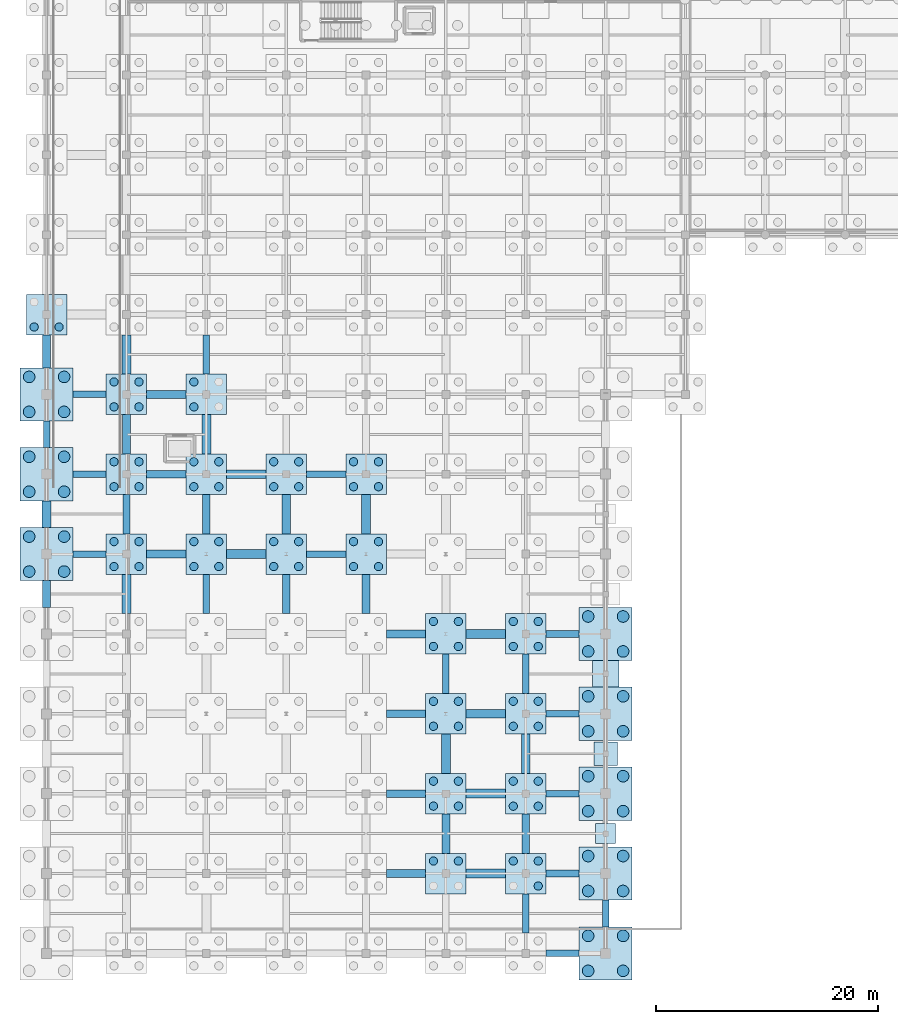
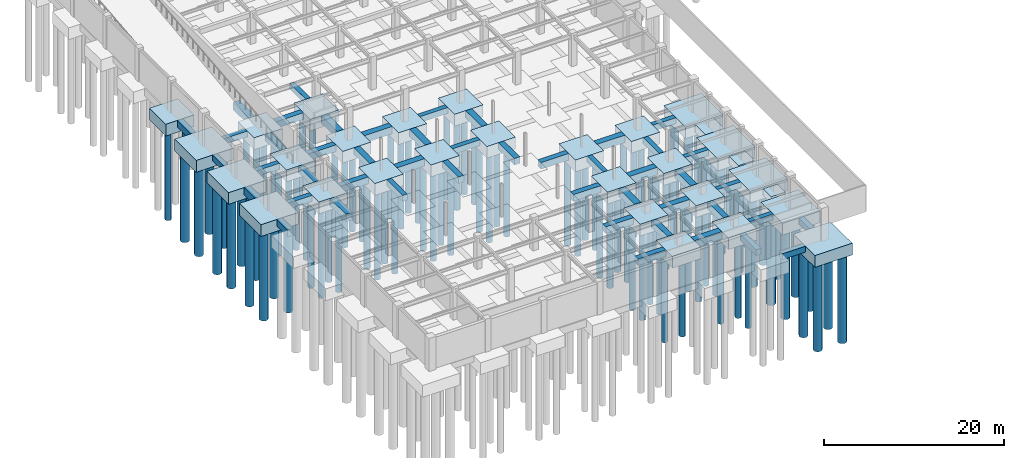
# One storey, part 2 of 48: 101 piles, 77 footings.
"""IFC4 building model written with IfcOpenShell, lengths in metres."""

from ifc_helpers import new_model, si_unit, direction, frame, origin, origin_2d, place, context, subcontext, project, spatial, rectangle, circle, extrude, material, material_profile, profile_set, type_object, element, save


model = new_model("IFC4")

# Units and contexts
model_context = context("Model", 3, precision=1e-05, world=origin(), true_north=direction((0.0, 1.0)))
body_context = subcontext(model_context, "Body", "Model", "MODEL_VIEW")
ifc_project = project(units=[si_unit("LENGTHUNIT", "METRE"), si_unit("AREAUNIT", "SQUARE_METRE"), si_unit("VOLUMEUNIT", "CUBIC_METRE"), si_unit("PLANEANGLEUNIT", "RADIAN"), si_unit("MASSUNIT", "GRAM", prefix="KILO")], contexts=[model_context])

# Site, building, storey
site_placement = place(None, origin())
site = spatial("IfcSite", under=ifc_project, at=site_placement, CompositionType="ELEMENT")
building_placement = place(site_placement, origin())
building = spatial("IfcBuilding", under=site, at=building_placement, Name="Carrowvane Square Congress Hotel", CompositionType="ELEMENT")
storey_placement = place(building_placement, frame((0.0, 0.0, -4.5)))
storey = spatial("IfcBuildingStorey", under=building, at=storey_placement, Name="B01", CompositionType="ELEMENT", Elevation=-4.5)

# Footings
ifc_material_1 = material(Name="Concrete C35/45", Category="concrete")
ifc_material_profile_1 = material_profile(ifc_material_1, rectangle(XDim=0.60009765625, YDim=0.800048828125, at=origin_2d()), Name="RC 600x800")
ifc_profile_set_1 = profile_set([ifc_material_profile_1], Name="Concrete C35/45")
footing_type_1 = type_object("IfcFootingType", Name="FTG-BM-600x800", PredefinedType="FOOTING_BEAM", material=ifc_profile_set_1)
footing_1_placement = place(storey_placement, frame((11.60009765625, 51.0, -0.39990234375), z_axis=(0.0, 1.0, 0.0), x_axis=(-1.0, 0.0, 0.0)))
element("IfcFooting", 1, at=footing_1_placement, inside=storey, type_object=footing_type_1, Name="Ground tie beam 7", PredefinedType="FOOTING_BEAM", context=body_context, shape_type="SweptSolid", body=[
    extrude(rectangle(XDim=0.60009765625, YDim=0.800048828125, at=origin_2d()), origin(), (0.0, 0.0, 1.0), 2.39990234375),
])
footing_2_placement = place(storey_placement, frame((18.800048828125, 43.22509765625, -0.39990234375), z_axis=(0.0, 1.0, 0.0), x_axis=(-1.0, 0.0, 0.0)))
element("IfcFooting", 2, at=footing_2_placement, inside=storey, type_object=footing_type_1, Name="Ground tie beam 18", PredefinedType="FOOTING_BEAM", context=body_context, shape_type="SweptSolid", body=[
    extrude(rectangle(XDim=0.60009765625, YDim=0.800048828125, at=origin_2d()), origin(), (0.0, 0.0, 1.0), 3.5498046875),
])
for number, where, z_axis, x_axis, name in (
    (3, (26.0, 36.02490234375, -0.39990234375), (0.0, 1.0, 0.0), (-1.0, 0.0, 0.0), "Ground tie beam 29"),
    (4, (26.0, 57.625, -0.39990234375), (0.0, 1.0, 0.0), (-1.0, 0.0, 0.0), "Ground tie beam 32"),
    (5, (47.60009765625, 28.824951171875, -0.39990234375), (0.0, 1.0, 0.0), (-1.0, 0.0, 0.0), "Ground tie beam 68"),
):
    element("IfcFooting", number, at=place(storey_placement, frame(where, z_axis=z_axis, x_axis=x_axis)), inside=storey, type_object=footing_type_1, Name=name, PredefinedType="FOOTING_BEAM", context=body_context, shape_type="SweptSolid", body=[
        extrude(rectangle(XDim=0.60009765625, YDim=0.800048828125, at=origin_2d()), origin(), (0.0, 0.0, 1.0), 3.550048828125),
    ])
footing_3_placement = place(storey_placement, frame((54.800048828125, 7.22509765625, -0.39990234375), z_axis=(0.0, 1.0, 0.0), x_axis=(-1.0, 0.0, 0.0)))
element("IfcFooting", 6, at=footing_3_placement, inside=storey, type_object=footing_type_1, Name="Ground tie beam 79", PredefinedType="FOOTING_BEAM", context=body_context, shape_type="SweptSolid", body=[
    extrude(rectangle(XDim=0.60009765625, YDim=0.800048828125, at=origin_2d()), origin(), (0.0, 0.0, 1.0), 3.5498046875),
])
footing_4_placement = place(storey_placement, frame((54.800048828125, 28.824951171875, -0.39990234375), z_axis=(0.0, 1.0, 0.0), x_axis=(-1.0, 0.0, 0.0)))
element("IfcFooting", 7, at=footing_4_placement, inside=storey, type_object=footing_type_1, Name="Ground tie beam 82", PredefinedType="FOOTING_BEAM", context=body_context, shape_type="SweptSolid", body=[
    extrude(rectangle(XDim=0.60009765625, YDim=0.800048828125, at=origin_2d()), origin(), (0.0, 0.0, 1.0), 3.550048828125),
])
footing_5_placement = place(storey_placement, frame((62.0, 7.800048828125, -0.39990234375), z_axis=(0.0, 1.0, 0.0), x_axis=(-1.0, 0.0, 0.0)))
element("IfcFooting", 8, at=footing_5_placement, inside=storey, type_object=footing_type_1, Name="Ground tie beam 93", PredefinedType="FOOTING_BEAM", context=body_context, shape_type="SweptSolid", body=[
    extrude(rectangle(XDim=0.60009765625, YDim=0.800048828125, at=origin_2d()), origin(), (0.0, 0.0, 1.0), 2.39990234375),
])
for number, where, z_axis, x_axis, name in (
    (9, (56.625, 5.39990234375, -0.39990234375), (1.0, 0.0, 0.0), (0.0, 1.0, 0.0), "Ground tie beam 250"),
    (10, (56.625, 12.60009765625, -0.39990234375), (1.0, 0.0, 0.0), (0.0, 1.0, 0.0), "Ground tie beam 264"),
    (11, (56.625, 19.800048828125, -0.39990234375), (1.0, 0.0, 0.0), (0.0, 1.0, 0.0), "Ground tie beam 278"),
    (12, (56.625, 27.0, -0.39990234375), (1.0, 0.0, 0.0), (0.0, 1.0, 0.0), "Ground tie beam 292"),
    (13, (56.625, 34.199951171875, -0.39990234375), (1.0, 0.0, 0.0), (0.0, 1.0, 0.0), "Ground tie beam 306"),
    (14, (14.0, 41.39990234375, -0.39990234375), (1.0, 0.0, 0.0), (0.0, 1.0, 0.0), "Ground tie beam 314"),
):
    element("IfcFooting", number, at=place(storey_placement, frame(where, z_axis=z_axis, x_axis=x_axis)), inside=storey, type_object=footing_type_1, Name=name, PredefinedType="FOOTING_BEAM", context=body_context, shape_type="SweptSolid", body=[
        extrude(rectangle(XDim=0.60009765625, YDim=0.800048828125, at=origin_2d()), origin(), (0.0, 0.0, 1.0), 2.97509765625),
    ])
footing_6_placement = place(storey_placement, frame((35.02490234375, 41.39990234375, -0.39990234375), z_axis=(1.0, 0.0, 0.0), x_axis=(0.0, 1.0, 0.0)))
element("IfcFooting", 15, at=footing_6_placement, inside=storey, type_object=footing_type_1, Name="Ground tie beam 317", PredefinedType="FOOTING_BEAM", context=body_context, shape_type="SweptSolid", body=[
    extrude(rectangle(XDim=0.60009765625, YDim=0.800048828125, at=origin_2d()), origin(), (0.0, 0.0, 1.0), 3.550048828125),
])
footing_7_placement = place(storey_placement, frame((14.0, 48.60009765625, -0.39990234375), z_axis=(1.0, 0.0, 0.0), x_axis=(0.0, 1.0, 0.0)))
element("IfcFooting", 16, at=footing_7_placement, inside=storey, type_object=footing_type_1, Name="Ground tie beam 328", PredefinedType="FOOTING_BEAM", context=body_context, shape_type="SweptSolid", body=[
    extrude(rectangle(XDim=0.60009765625, YDim=0.800048828125, at=origin_2d()), origin(), (0.0, 0.0, 1.0), 2.97509765625),
])
footing_8_placement = place(storey_placement, frame((35.02490234375, 48.60009765625, -0.39990234375), z_axis=(1.0, 0.0, 0.0), x_axis=(0.0, 1.0, 0.0)))
element("IfcFooting", 17, at=footing_8_placement, inside=storey, type_object=footing_type_1, Name="Ground tie beam 331", PredefinedType="FOOTING_BEAM", context=body_context, shape_type="SweptSolid", body=[
    extrude(rectangle(XDim=0.60009765625, YDim=0.800048828125, at=origin_2d()), origin(), (0.0, 0.0, 1.0), 3.550048828125),
])
footing_9_placement = place(storey_placement, frame((14.0, 55.800048828125, -0.39990234375), z_axis=(1.0, 0.0, 0.0), x_axis=(0.0, 1.0, 0.0)))
element("IfcFooting", 18, at=footing_9_placement, inside=storey, type_object=footing_type_1, Name="Ground tie beam 339", PredefinedType="FOOTING_BEAM", context=body_context, shape_type="SweptSolid", body=[
    extrude(rectangle(XDim=0.60009765625, YDim=0.800048828125, at=origin_2d()), origin(), (0.0, 0.0, 1.0), 2.97509765625),
])
ifc_material_2 = material(Name="Concrete C35/45", Category="concrete")
ifc_material_profile_2 = material_profile(ifc_material_2, rectangle(XDim=0.699951171875, YDim=0.89990234375, at=origin_2d()), Name="RC 700x900")
ifc_profile_set_2 = profile_set([ifc_material_profile_2], Name="Concrete C35/45")
footing_type_2 = type_object("IfcFootingType", Name="FTG-BM-700x900", PredefinedType="FOOTING_BEAM", material=ifc_profile_set_2)
footing_10_placement = place(storey_placement, frame((11.60009765625, 36.60009765625, -0.449951171875), z_axis=(0.0, 1.0, 0.0), x_axis=(-1.0, 0.0, 0.0)))
element("IfcFooting", 19, at=footing_10_placement, inside=storey, type_object=footing_type_2, Name="Ground tie beam 5", PredefinedType="FOOTING_BEAM", context=body_context, shape_type="SweptSolid", body=[
    extrude(rectangle(XDim=0.699951171875, YDim=0.89990234375, at=origin_2d()), origin(), (0.0, 0.0, 1.0), 2.39990234375),
])
footing_11_placement = place(storey_placement, frame((11.60009765625, 58.199951171875, -0.449951171875), z_axis=(0.0, 1.0, 0.0), x_axis=(-1.0, 0.0, 0.0)))
element("IfcFooting", 20, at=footing_11_placement, inside=storey, type_object=footing_type_2, Name="Ground tie beam 8", PredefinedType="FOOTING_BEAM", context=body_context, shape_type="SweptSolid", body=[
    extrude(rectangle(XDim=0.699951171875, YDim=0.89990234375, at=origin_2d()), origin(), (0.0, 0.0, 1.0), 2.97509765625),
])
footing_12_placement = place(storey_placement, frame((18.800048828125, 50.425048828125, -0.449951171875), z_axis=(0.0, 1.0, 0.0), x_axis=(-1.0, 0.0, 0.0)))
element("IfcFooting", 21, at=footing_12_placement, inside=storey, type_object=footing_type_2, Name="Ground tie beam 19", PredefinedType="FOOTING_BEAM", context=body_context, shape_type="SweptSolid", body=[
    extrude(rectangle(XDim=0.699951171875, YDim=0.89990234375, at=origin_2d()), origin(), (0.0, 0.0, 1.0), 3.550048828125),
])
footing_13_placement = place(storey_placement, frame((26.0, 43.22509765625, -0.449951171875), z_axis=(0.0, 1.0, 0.0), x_axis=(-1.0, 0.0, 0.0)))
element("IfcFooting", 22, at=footing_13_placement, inside=storey, type_object=footing_type_2, Name="Ground tie beam 30", PredefinedType="FOOTING_BEAM", context=body_context, shape_type="SweptSolid", body=[
    extrude(rectangle(XDim=0.699951171875, YDim=0.89990234375, at=origin_2d()), origin(), (0.0, 0.0, 1.0), 3.5498046875),
])
for number, where, z_axis, x_axis, name in (
    (23, (33.199951171875, 36.02490234375, -0.449951171875), (0.0, 1.0, 0.0), (-1.0, 0.0, 0.0), "Ground tie beam 41"),
    (24, (40.39990234375, 36.02490234375, -0.449951171875), (0.0, 1.0, 0.0), (-1.0, 0.0, 0.0), "Ground tie beam 55"),
    (25, (47.60009765625, 14.425048828125, -0.449951171875), (0.0, 1.0, 0.0), (-1.0, 0.0, 0.0), "Ground tie beam 66"),
    (26, (54.800048828125, 14.425048828125, -0.449951171875), (0.0, 1.0, 0.0), (-1.0, 0.0, 0.0), "Ground tie beam 80"),
):
    element("IfcFooting", number, at=place(storey_placement, frame(where, z_axis=z_axis, x_axis=x_axis)), inside=storey, type_object=footing_type_2, Name=name, PredefinedType="FOOTING_BEAM", context=body_context, shape_type="SweptSolid", body=[
        extrude(rectangle(XDim=0.699951171875, YDim=0.89990234375, at=origin_2d()), origin(), (0.0, 0.0, 1.0), 3.550048828125),
    ])
for number, where, z_axis, x_axis, name in (
    (27, (42.22509765625, 12.60009765625, -0.449951171875), (1.0, 0.0, 0.0), (0.0, 1.0, 0.0), "Ground tie beam 262"),
    (28, (42.22509765625, 19.800048828125, -0.449951171875), (1.0, 0.0, 0.0), (0.0, 1.0, 0.0), "Ground tie beam 276"),
    (29, (42.22509765625, 27.0, -0.449951171875), (1.0, 0.0, 0.0), (0.0, 1.0, 0.0), "Ground tie beam 290"),
    (30, (42.22509765625, 34.199951171875, -0.449951171875), (1.0, 0.0, 0.0), (0.0, 1.0, 0.0), "Ground tie beam 304"),
):
    element("IfcFooting", number, at=place(storey_placement, frame(where, z_axis=z_axis, x_axis=x_axis)), inside=storey, type_object=footing_type_2, Name=name, PredefinedType="FOOTING_BEAM", context=body_context, shape_type="SweptSolid", body=[
        extrude(rectangle(XDim=0.699951171875, YDim=0.89990234375, at=origin_2d()), origin(), (0.0, 0.0, 1.0), 3.5498046875),
    ])
for number, where, z_axis, x_axis, name in (
    (31, (20.625, 41.39990234375, -0.449951171875), (1.0, 0.0, 0.0), (0.0, 1.0, 0.0), "Ground tie beam 315"),
    (32, (20.625, 48.60009765625, -0.449951171875), (1.0, 0.0, 0.0), (0.0, 1.0, 0.0), "Ground tie beam 329"),
    (33, (20.625, 55.800048828125, -0.449951171875), (1.0, 0.0, 0.0), (0.0, 1.0, 0.0), "Ground tie beam 340"),
):
    element("IfcFooting", number, at=place(storey_placement, frame(where, z_axis=z_axis, x_axis=x_axis)), inside=storey, type_object=footing_type_2, Name=name, PredefinedType="FOOTING_BEAM", context=body_context, shape_type="SweptSolid", body=[
        extrude(rectangle(XDim=0.699951171875, YDim=0.89990234375, at=origin_2d()), origin(), (0.0, 0.0, 1.0), 3.550048828125),
    ])
ifc_material_3 = material(Name="Concrete C35/45", Category="concrete")
ifc_material_profile_3 = material_profile(ifc_material_3, rectangle(XDim=0.800048828125, YDim=1.0, at=origin_2d()), Name="RC 800x1000")
ifc_profile_set_3 = profile_set([ifc_material_profile_3], Name="Concrete C35/45")
footing_type_3 = type_object("IfcFootingType", Name="FTG-BM-800x1000", PredefinedType="FOOTING_BEAM", material=ifc_profile_set_3)
footing_14_placement = place(storey_placement, frame((11.60009765625, 43.800048828125, -0.5), z_axis=(0.0, 1.0, 0.0), x_axis=(-1.0, 0.0, 0.0)))
element("IfcFooting", 34, at=footing_14_placement, inside=storey, type_object=footing_type_3, Name="Ground tie beam 6", PredefinedType="FOOTING_BEAM", context=body_context, shape_type="SweptSolid", body=[
    extrude(rectangle(XDim=0.800048828125, YDim=1.0, at=origin_2d()), origin(), (0.0, 0.0, 1.0), 2.39990234375),
])
for number, where, z_axis, x_axis, name in (
    (35, (18.800048828125, 36.02490234375, -0.5), (0.0, 1.0, 0.0), (-1.0, 0.0, 0.0), "Ground tie beam 17"),
    (36, (18.800048828125, 57.625, -0.5), (0.0, 1.0, 0.0), (-1.0, 0.0, 0.0), "Ground tie beam 20"),
    (37, (26.0, 50.425048828125, -0.5), (0.0, 1.0, 0.0), (-1.0, 0.0, 0.0), "Ground tie beam 31"),
):
    element("IfcFooting", number, at=place(storey_placement, frame(where, z_axis=z_axis, x_axis=x_axis)), inside=storey, type_object=footing_type_3, Name=name, PredefinedType="FOOTING_BEAM", context=body_context, shape_type="SweptSolid", body=[
        extrude(rectangle(XDim=0.800048828125, YDim=1.0, at=origin_2d()), origin(), (0.0, 0.0, 1.0), 3.550048828125),
    ])
for number, where, z_axis, x_axis, name in (
    (38, (33.199951171875, 43.22509765625, -0.5), (0.0, 1.0, 0.0), (-1.0, 0.0, 0.0), "Ground tie beam 42"),
    (39, (40.39990234375, 43.22509765625, -0.5), (0.0, 1.0, 0.0), (-1.0, 0.0, 0.0), "Ground tie beam 56"),
):
    element("IfcFooting", number, at=place(storey_placement, frame(where, z_axis=z_axis, x_axis=x_axis)), inside=storey, type_object=footing_type_3, Name=name, PredefinedType="FOOTING_BEAM", context=body_context, shape_type="SweptSolid", body=[
        extrude(rectangle(XDim=0.800048828125, YDim=1.0, at=origin_2d()), origin(), (0.0, 0.0, 1.0), 3.5498046875),
    ])
for number, where, z_axis, x_axis, name in (
    (40, (47.60009765625, 21.625, -0.5), (0.0, 1.0, 0.0), (-1.0, 0.0, 0.0), "Ground tie beam 67"),
    (41, (54.800048828125, 21.625, -0.5), (0.0, 1.0, 0.0), (-1.0, 0.0, 0.0), "Ground tie beam 81"),
    (42, (49.425048828125, 12.60009765625, -0.5), (1.0, 0.0, 0.0), (0.0, 1.0, 0.0), "Ground tie beam 263"),
    (43, (49.425048828125, 19.800048828125, -0.5), (1.0, 0.0, 0.0), (0.0, 1.0, 0.0), "Ground tie beam 277"),
    (44, (49.425048828125, 27.0, -0.5), (1.0, 0.0, 0.0), (0.0, 1.0, 0.0), "Ground tie beam 291"),
    (45, (49.425048828125, 34.199951171875, -0.5), (1.0, 0.0, 0.0), (0.0, 1.0, 0.0), "Ground tie beam 305"),
    (46, (27.824951171875, 41.39990234375, -0.5), (1.0, 0.0, 0.0), (0.0, 1.0, 0.0), "Ground tie beam 316"),
    (47, (27.824951171875, 48.60009765625, -0.5), (1.0, 0.0, 0.0), (0.0, 1.0, 0.0), "Ground tie beam 330"),
):
    element("IfcFooting", number, at=place(storey_placement, frame(where, z_axis=z_axis, x_axis=x_axis)), inside=storey, type_object=footing_type_3, Name=name, PredefinedType="FOOTING_BEAM", context=body_context, shape_type="SweptSolid", body=[
        extrude(rectangle(XDim=0.800048828125, YDim=1.0, at=origin_2d()), origin(), (0.0, 0.0, 1.0), 3.550048828125),
    ])
ifc_material_4 = material(Name="Concrete C35/45", Category="concrete")
footing_type_4 = type_object("IfcFootingType", Name="FTG-PAD-1800", PredefinedType="PAD_FOOTING", material=ifc_material_4)
footing_15_placement = place(storey_placement, frame((62.0, 16.199951171875, -0.89990234375), z_axis=(0.0, 0.0, 1.0), x_axis=(1.0, 0.0, 0.0)))
element("IfcFooting", 48, at=footing_15_placement, inside=storey, type_object=footing_type_4, Name="Colonnade pad footing 1", PredefinedType="PAD_FOOTING", context=body_context, shape_type="SweptSolid", body=[
    extrude(rectangle(XDim=1.800048828125, YDim=1.800048828125, at=origin_2d()), origin(), (0.0, 0.0, 1.0), 0.89990234375),
])
ifc_material_5 = material(Name="Concrete C35/45", Category="concrete")
footing_type_5 = type_object("IfcFootingType", Name="FTG-PAD-2100", PredefinedType="PAD_FOOTING", material=ifc_material_5)
footing_16_placement = place(storey_placement, frame((62.0, 23.39990234375, -1.0), z_axis=(0.0, 0.0, 1.0), x_axis=(1.0, 0.0, 0.0)))
element("IfcFooting", 49, at=footing_16_placement, inside=storey, type_object=footing_type_5, Name="Colonnade pad footing 2", PredefinedType="PAD_FOOTING", context=body_context, shape_type="SweptSolid", body=[
    extrude(rectangle(XDim=2.10009765625, YDim=2.10009765625, at=origin_2d()), origin(), (0.0, 0.0, 1.0), 1.0),
])
ifc_material_6 = material(Name="Concrete C35/45", Category="concrete")
footing_type_6 = type_object("IfcFootingType", Name="FTG-PAD-2400", PredefinedType="PAD_FOOTING", material=ifc_material_6)
footing_17_placement = place(storey_placement, frame((62.0, 30.60009765625, -1.10009765625), z_axis=(0.0, 0.0, 1.0), x_axis=(1.0, 0.0, 0.0)))
element("IfcFooting", 50, at=footing_17_placement, inside=storey, type_object=footing_type_6, Name="Colonnade pad footing 3", PredefinedType="PAD_FOOTING", context=body_context, shape_type="SweptSolid", body=[
    extrude(rectangle(XDim=2.39990234375, YDim=2.39990234375, at=origin_2d()), origin(), (0.0, 0.0, 1.0), 1.10009765625),
])
ifc_material_7 = material(Name="Concrete C35/45", Category="concrete")
footing_type_7 = type_object("IfcFootingType", Name="FTG-PC-01", PredefinedType="PILE_CAP", material=ifc_material_7)
for number, where, z_axis, x_axis, name in (
    (51, (62.0, 5.39990234375, -1.60009765625), (0.0, 0.0, 1.0), (1.0, 0.0, 0.0), "B01 PC-1 2"),
    (52, (62.0, 12.60009765625, -1.60009765625), (0.0, 0.0, 1.0), (1.0, 0.0, 0.0), "B01 PC-1 18"),
    (53, (62.0, 19.800048828125, -1.60009765625), (0.0, 0.0, 1.0), (1.0, 0.0, 0.0), "B01 PC-1 34"),
    (54, (62.0, 27.0, -1.60009765625), (0.0, 0.0, 1.0), (1.0, 0.0, 0.0), "B01 PC-1 50"),
    (55, (62.0, 34.199951171875, -1.60009765625), (0.0, 0.0, 1.0), (1.0, 0.0, 0.0), "B01 PC-1 66"),
    (56, (11.60009765625, 41.39990234375, -1.60009765625), (0.0, 0.0, 1.0), (1.0, 0.0, 0.0), "B01 PC-1 81"),
    (57, (11.60009765625, 48.60009765625, -1.60009765625), (0.0, 0.0, 1.0), (1.0, 0.0, 0.0), "B01 PC-1 97"),
    (58, (11.60009765625, 55.800048828125, -1.60009765625), (0.0, 0.0, 1.0), (1.0, 0.0, 0.0), "B01 PC-1 111"),
):
    element("IfcFooting", number, at=place(storey_placement, frame(where, z_axis=z_axis, x_axis=x_axis)), inside=storey, type_object=footing_type_7, Name=name, PredefinedType="PILE_CAP", context=body_context, shape_type="SweptSolid", body=[
        extrude(rectangle(XDim=4.800048828125, YDim=4.800048828125, at=origin_2d()), origin(), (0.0, 0.0, 1.0), 1.60009765625),
    ])
ifc_material_8 = material(Name="Concrete C35/45", Category="concrete")
footing_type_8 = type_object("IfcFootingType", Name="FTG-PC-02", PredefinedType="PILE_CAP", material=ifc_material_8)
for number, where, z_axis, x_axis, name in (
    (59, (47.60009765625, 12.60009765625, -1.60009765625), (0.0, 0.0, 1.0), (1.0, 0.0, 0.0), "B01 PC-2 26"),
    (60, (54.800048828125, 12.60009765625, -1.60009765625), (0.0, 0.0, 1.0), (1.0, 0.0, 0.0), "B01 PC-2 27"),
    (61, (47.60009765625, 19.800048828125, -1.60009765625), (0.0, 0.0, 1.0), (1.0, 0.0, 0.0), "B01 PC-2 42"),
    (62, (54.800048828125, 19.800048828125, -1.60009765625), (0.0, 0.0, 1.0), (1.0, 0.0, 0.0), "B01 PC-2 43"),
    (63, (47.60009765625, 27.0, -1.60009765625), (0.0, 0.0, 1.0), (1.0, 0.0, 0.0), "B01 PC-2 58"),
    (64, (54.800048828125, 27.0, -1.60009765625), (0.0, 0.0, 1.0), (1.0, 0.0, 0.0), "B01 PC-2 59"),
    (65, (47.60009765625, 34.199951171875, -1.60009765625), (0.0, 0.0, 1.0), (1.0, 0.0, 0.0), "B01 PC-2 74"),
    (66, (54.800048828125, 34.199951171875, -1.60009765625), (0.0, 0.0, 1.0), (1.0, 0.0, 0.0), "B01 PC-2 75"),
    (67, (18.800048828125, 41.39990234375, -1.60009765625), (0.0, 0.0, 1.0), (1.0, 0.0, 0.0), "B01 PC-2 86"),
    (68, (26.0, 41.39990234375, -1.60009765625), (0.0, 0.0, 1.0), (1.0, 0.0, 0.0), "B01 PC-2 87"),
    (69, (33.199951171875, 41.39990234375, -1.60009765625), (0.0, 0.0, 1.0), (1.0, 0.0, 0.0), "B01 PC-2 88"),
    (70, (40.39990234375, 41.39990234375, -1.60009765625), (0.0, 0.0, 1.0), (1.0, 0.0, 0.0), "B01 PC-2 89"),
    (71, (18.800048828125, 48.60009765625, -1.60009765625), (0.0, 0.0, 1.0), (1.0, 0.0, 0.0), "B01 PC-2 101"),
    (72, (26.0, 48.60009765625, -1.60009765625), (0.0, 0.0, 1.0), (1.0, 0.0, 0.0), "B01 PC-2 102"),
    (73, (33.199951171875, 48.60009765625, -1.60009765625), (0.0, 0.0, 1.0), (1.0, 0.0, 0.0), "B01 PC-2 103"),
    (74, (40.39990234375, 48.60009765625, -1.60009765625), (0.0, 0.0, 1.0), (1.0, 0.0, 0.0), "B01 PC-2 104"),
    (75, (18.800048828125, 55.800048828125, -1.60009765625), (0.0, 0.0, 1.0), (1.0, 0.0, 0.0), "B01 PC-2 113"),
    (76, (26.0, 55.800048828125, -1.60009765625), (0.0, 0.0, 1.0), (1.0, 0.0, 0.0), "B01 PC-2 114"),
    (77, (11.60009765625, 63.0, -1.60009765625), (0.0, 0.0, 1.0), (1.0, 0.0, 0.0), "B01 PC-2 126"),
):
    element("IfcFooting", number, at=place(storey_placement, frame(where, z_axis=z_axis, x_axis=x_axis)), inside=storey, type_object=footing_type_8, Name=name, PredefinedType="PILE_CAP", context=body_context, shape_type="SweptSolid", body=[
        extrude(rectangle(XDim=3.64990234375, YDim=3.64990234375, at=origin_2d()), origin(), (0.0, 0.0, 1.0), 1.60009765625),
    ])

# Piles
ifc_material_9 = material(Name="Concrete C35/45", Category="concrete")
ifc_material_profile_4 = material_profile(ifc_material_9, circle(Radius=0.52490234375, at=origin_2d()), Name="PILE D1050")
ifc_profile_set_4 = profile_set([ifc_material_profile_4], Name="Concrete C35/45")
pile_type_1 = type_object("IfcPileType", Name="PILE-B-1050", PredefinedType="BORED", material=ifc_profile_set_4)
for number, where, z_axis, x_axis, name in (
    (78, (60.425048828125, 3.824951171875, -1.5), (0.0, 0.0, -1.0), (1.0, 0.0, 0.0), "Bored pile P-3-0005"),
    (79, (60.425048828125, 6.97509765625, -1.5), (0.0, 0.0, -1.0), (1.0, 0.0, 0.0), "Bored pile P-3-0006"),
    (80, (63.574951171875, 3.824951171875, -1.5), (0.0, 0.0, -1.0), (1.0, 0.0, 0.0), "Bored pile P-3-0007"),
    (81, (63.574951171875, 6.97509765625, -1.5), (0.0, 0.0, -1.0), (1.0, 0.0, 0.0), "Bored pile P-3-0008"),
    (82, (60.425048828125, 11.02490234375, -1.5), (0.0, 0.0, -1.0), (1.0, 0.0, 0.0), "Bored pile P-3-0069"),
    (83, (60.425048828125, 14.175048828125, -1.5), (0.0, 0.0, -1.0), (1.0, 0.0, 0.0), "Bored pile P-3-0070"),
    (84, (63.574951171875, 11.02490234375, -1.5), (0.0, 0.0, -1.0), (1.0, 0.0, 0.0), "Bored pile P-3-0071"),
    (85, (63.574951171875, 14.175048828125, -1.5), (0.0, 0.0, -1.0), (1.0, 0.0, 0.0), "Bored pile P-3-0072"),
    (86, (60.425048828125, 18.22509765625, -1.5), (0.0, 0.0, -1.0), (1.0, 0.0, 0.0), "Bored pile P-3-0133"),
    (87, (60.425048828125, 21.375, -1.5), (0.0, 0.0, -1.0), (1.0, 0.0, 0.0), "Bored pile P-3-0134"),
    (88, (63.574951171875, 18.22509765625, -1.5), (0.0, 0.0, -1.0), (1.0, 0.0, 0.0), "Bored pile P-3-0135"),
    (89, (63.574951171875, 21.375, -1.5), (0.0, 0.0, -1.0), (1.0, 0.0, 0.0), "Bored pile P-3-0136"),
    (90, (60.425048828125, 25.425048828125, -1.5), (0.0, 0.0, -1.0), (1.0, 0.0, 0.0), "Bored pile P-3-0197"),
    (91, (60.425048828125, 28.574951171875, -1.5), (0.0, 0.0, -1.0), (1.0, 0.0, 0.0), "Bored pile P-3-0198"),
    (92, (63.574951171875, 25.425048828125, -1.5), (0.0, 0.0, -1.0), (1.0, 0.0, 0.0), "Bored pile P-3-0199"),
    (93, (63.574951171875, 28.574951171875, -1.5), (0.0, 0.0, -1.0), (1.0, 0.0, 0.0), "Bored pile P-3-0200"),
    (94, (60.425048828125, 32.625, -1.5), (0.0, 0.0, -1.0), (1.0, 0.0, 0.0), "Bored pile P-3-0261"),
    (95, (60.425048828125, 35.77490234375, -1.5), (0.0, 0.0, -1.0), (1.0, 0.0, 0.0), "Bored pile P-3-0262"),
    (96, (63.574951171875, 32.625, -1.5), (0.0, 0.0, -1.0), (1.0, 0.0, 0.0), "Bored pile P-3-0263"),
    (97, (63.574951171875, 35.77490234375, -1.5), (0.0, 0.0, -1.0), (1.0, 0.0, 0.0), "Bored pile P-3-0264"),
    (98, (10.02490234375, 39.824951171875, -1.5), (0.0, 0.0, -1.0), (1.0, 0.0, 0.0), "Bored pile P-3-0321"),
    (99, (10.02490234375, 42.97509765625, -1.5), (0.0, 0.0, -1.0), (1.0, 0.0, 0.0), "Bored pile P-3-0322"),
    (100, (13.175048828125, 39.824951171875, -1.5), (0.0, 0.0, -1.0), (1.0, 0.0, 0.0), "Bored pile P-3-0323"),
    (101, (13.175048828125, 42.97509765625, -1.5), (0.0, 0.0, -1.0), (1.0, 0.0, 0.0), "Bored pile P-3-0324"),
    (102, (10.02490234375, 47.02490234375, -1.5), (0.0, 0.0, -1.0), (1.0, 0.0, 0.0), "Bored pile P-3-0385"),
    (103, (10.02490234375, 50.175048828125, -1.5), (0.0, 0.0, -1.0), (1.0, 0.0, 0.0), "Bored pile P-3-0386"),
    (104, (13.175048828125, 47.02490234375, -1.5), (0.0, 0.0, -1.0), (1.0, 0.0, 0.0), "Bored pile P-3-0387"),
    (105, (13.175048828125, 50.175048828125, -1.5), (0.0, 0.0, -1.0), (1.0, 0.0, 0.0), "Bored pile P-3-0388"),
    (106, (10.02490234375, 54.22509765625, -1.5), (0.0, 0.0, -1.0), (1.0, 0.0, 0.0), "Bored pile P-3-0477"),
    (107, (10.02490234375, 57.375, -1.5), (0.0, 0.0, -1.0), (1.0, 0.0, 0.0), "Bored pile P-3-0478"),
    (108, (13.175048828125, 54.22509765625, -1.5), (0.0, 0.0, -1.0), (1.0, 0.0, 0.0), "Bored pile P-3-0479"),
    (109, (13.175048828125, 57.375, -1.5), (0.0, 0.0, -1.0), (1.0, 0.0, 0.0), "Bored pile P-3-0480"),
):
    element("IfcPile", number, at=place(storey_placement, frame(where, z_axis=z_axis, x_axis=x_axis)), inside=storey, type_object=pile_type_1, Name=name, PredefinedType="BORED", context=body_context, shape_type="SweptSolid", body=[
        extrude(circle(Radius=0.52490234375, at=origin_2d()), origin(), (0.0, 0.0, 1.0), 12.0),
    ])
ifc_material_10 = material(Name="Concrete C35/45", Category="concrete")
ifc_material_profile_5 = material_profile(ifc_material_10, circle(Radius=0.375, at=origin_2d()), Name="PILE D750")
ifc_profile_set_5 = profile_set([ifc_material_profile_5], Name="Concrete C35/45")
pile_type_2 = type_object("IfcPileType", Name="PILE-B-750", PredefinedType="BORED", material=ifc_profile_set_5)
for number, where, z_axis, x_axis, name in (
    (110, (46.47509765625, 13.72509765625, -1.5), (0.0, 0.0, -1.0), (1.0, 0.0, 0.0), "Bored pile P-1-0102"),
    (111, (48.72509765625, 13.72509765625, -1.5), (0.0, 0.0, -1.0), (1.0, 0.0, 0.0), "Bored pile P-1-0104"),
    (112, (53.675048828125, 13.72509765625, -1.5), (0.0, 0.0, -1.0), (1.0, 0.0, 0.0), "Bored pile P-1-0106"),
    (113, (55.925048828125, 11.47509765625, -1.5), (0.0, 0.0, -1.0), (1.0, 0.0, 0.0), "Bored pile P-1-0107"),
    (114, (55.925048828125, 13.72509765625, -1.5), (0.0, 0.0, -1.0), (1.0, 0.0, 0.0), "Bored pile P-1-0108"),
    (115, (46.47509765625, 18.675048828125, -1.5), (0.0, 0.0, -1.0), (1.0, 0.0, 0.0), "Bored pile P-1-0165"),
    (116, (46.47509765625, 20.925048828125, -1.5), (0.0, 0.0, -1.0), (1.0, 0.0, 0.0), "Bored pile P-1-0166"),
    (117, (48.72509765625, 18.675048828125, -1.5), (0.0, 0.0, -1.0), (1.0, 0.0, 0.0), "Bored pile P-1-0167"),
    (118, (48.72509765625, 20.925048828125, -1.5), (0.0, 0.0, -1.0), (1.0, 0.0, 0.0), "Bored pile P-1-0168"),
    (119, (53.675048828125, 18.675048828125, -1.5), (0.0, 0.0, -1.0), (1.0, 0.0, 0.0), "Bored pile P-1-0169"),
    (120, (53.675048828125, 20.925048828125, -1.5), (0.0, 0.0, -1.0), (1.0, 0.0, 0.0), "Bored pile P-1-0170"),
    (121, (55.925048828125, 18.675048828125, -1.5), (0.0, 0.0, -1.0), (1.0, 0.0, 0.0), "Bored pile P-1-0171"),
    (122, (55.925048828125, 20.925048828125, -1.5), (0.0, 0.0, -1.0), (1.0, 0.0, 0.0), "Bored pile P-1-0172"),
    (123, (46.47509765625, 25.875, -1.5), (0.0, 0.0, -1.0), (1.0, 0.0, 0.0), "Bored pile P-1-0229"),
    (124, (46.47509765625, 28.125, -1.5), (0.0, 0.0, -1.0), (1.0, 0.0, 0.0), "Bored pile P-1-0230"),
    (125, (48.72509765625, 25.875, -1.5), (0.0, 0.0, -1.0), (1.0, 0.0, 0.0), "Bored pile P-1-0231"),
    (126, (48.72509765625, 28.125, -1.5), (0.0, 0.0, -1.0), (1.0, 0.0, 0.0), "Bored pile P-1-0232"),
    (127, (53.675048828125, 25.875, -1.5), (0.0, 0.0, -1.0), (1.0, 0.0, 0.0), "Bored pile P-1-0233"),
    (128, (53.675048828125, 28.125, -1.5), (0.0, 0.0, -1.0), (1.0, 0.0, 0.0), "Bored pile P-1-0234"),
    (129, (55.925048828125, 25.875, -1.5), (0.0, 0.0, -1.0), (1.0, 0.0, 0.0), "Bored pile P-1-0235"),
    (130, (55.925048828125, 28.125, -1.5), (0.0, 0.0, -1.0), (1.0, 0.0, 0.0), "Bored pile P-1-0236"),
    (131, (46.47509765625, 33.074951171875, -1.5), (0.0, 0.0, -1.0), (1.0, 0.0, 0.0), "Bored pile P-1-0293"),
    (132, (46.47509765625, 35.324951171875, -1.5), (0.0, 0.0, -1.0), (1.0, 0.0, 0.0), "Bored pile P-1-0294"),
    (133, (48.72509765625, 33.074951171875, -1.5), (0.0, 0.0, -1.0), (1.0, 0.0, 0.0), "Bored pile P-1-0295"),
    (134, (48.72509765625, 35.324951171875, -1.5), (0.0, 0.0, -1.0), (1.0, 0.0, 0.0), "Bored pile P-1-0296"),
    (135, (53.675048828125, 33.074951171875, -1.5), (0.0, 0.0, -1.0), (1.0, 0.0, 0.0), "Bored pile P-1-0297"),
    (136, (53.675048828125, 35.324951171875, -1.5), (0.0, 0.0, -1.0), (1.0, 0.0, 0.0), "Bored pile P-1-0298"),
    (137, (55.925048828125, 33.074951171875, -1.5), (0.0, 0.0, -1.0), (1.0, 0.0, 0.0), "Bored pile P-1-0299"),
    (138, (55.925048828125, 35.324951171875, -1.5), (0.0, 0.0, -1.0), (1.0, 0.0, 0.0), "Bored pile P-1-0300"),
    (139, (17.675048828125, 40.27490234375, -1.5), (0.0, 0.0, -1.0), (1.0, 0.0, 0.0), "Bored pile P-1-0341"),
    (140, (17.675048828125, 42.52490234375, -1.5), (0.0, 0.0, -1.0), (1.0, 0.0, 0.0), "Bored pile P-1-0342"),
    (141, (19.925048828125, 40.27490234375, -1.5), (0.0, 0.0, -1.0), (1.0, 0.0, 0.0), "Bored pile P-1-0343"),
    (142, (19.925048828125, 42.52490234375, -1.5), (0.0, 0.0, -1.0), (1.0, 0.0, 0.0), "Bored pile P-1-0344"),
    (143, (24.875, 40.27490234375, -1.5), (0.0, 0.0, -1.0), (1.0, 0.0, 0.0), "Bored pile P-1-0345"),
    (144, (24.875, 42.52490234375, -1.5), (0.0, 0.0, -1.0), (1.0, 0.0, 0.0), "Bored pile P-1-0346"),
    (145, (27.125, 40.27490234375, -1.5), (0.0, 0.0, -1.0), (1.0, 0.0, 0.0), "Bored pile P-1-0347"),
    (146, (27.125, 42.52490234375, -1.5), (0.0, 0.0, -1.0), (1.0, 0.0, 0.0), "Bored pile P-1-0348"),
    (147, (32.074951171875, 40.27490234375, -1.5), (0.0, 0.0, -1.0), (1.0, 0.0, 0.0), "Bored pile P-1-0349"),
    (148, (32.074951171875, 42.52490234375, -1.5), (0.0, 0.0, -1.0), (1.0, 0.0, 0.0), "Bored pile P-1-0350"),
    (149, (34.324951171875, 40.27490234375, -1.5), (0.0, 0.0, -1.0), (1.0, 0.0, 0.0), "Bored pile P-1-0351"),
    (150, (34.324951171875, 42.52490234375, -1.5), (0.0, 0.0, -1.0), (1.0, 0.0, 0.0), "Bored pile P-1-0352"),
    (151, (39.27490234375, 40.27490234375, -1.5), (0.0, 0.0, -1.0), (1.0, 0.0, 0.0), "Bored pile P-1-0353"),
    (152, (39.27490234375, 42.52490234375, -1.5), (0.0, 0.0, -1.0), (1.0, 0.0, 0.0), "Bored pile P-1-0354"),
    (153, (41.52490234375, 40.27490234375, -1.5), (0.0, 0.0, -1.0), (1.0, 0.0, 0.0), "Bored pile P-1-0355"),
    (154, (41.52490234375, 42.52490234375, -1.5), (0.0, 0.0, -1.0), (1.0, 0.0, 0.0), "Bored pile P-1-0356"),
    (155, (17.675048828125, 47.47509765625, -1.5), (0.0, 0.0, -1.0), (1.0, 0.0, 0.0), "Bored pile P-1-0437"),
    (156, (17.675048828125, 49.72509765625, -1.5), (0.0, 0.0, -1.0), (1.0, 0.0, 0.0), "Bored pile P-1-0438"),
    (157, (19.925048828125, 47.47509765625, -1.5), (0.0, 0.0, -1.0), (1.0, 0.0, 0.0), "Bored pile P-1-0439"),
    (158, (19.925048828125, 49.72509765625, -1.5), (0.0, 0.0, -1.0), (1.0, 0.0, 0.0), "Bored pile P-1-0440"),
    (159, (24.875, 47.47509765625, -1.5), (0.0, 0.0, -1.0), (1.0, 0.0, 0.0), "Bored pile P-1-0441"),
    (160, (24.875, 49.72509765625, -1.5), (0.0, 0.0, -1.0), (1.0, 0.0, 0.0), "Bored pile P-1-0442"),
    (161, (27.125, 47.47509765625, -1.5), (0.0, 0.0, -1.0), (1.0, 0.0, 0.0), "Bored pile P-1-0443"),
    (162, (27.125, 49.72509765625, -1.5), (0.0, 0.0, -1.0), (1.0, 0.0, 0.0), "Bored pile P-1-0444"),
    (163, (32.074951171875, 47.47509765625, -1.5), (0.0, 0.0, -1.0), (1.0, 0.0, 0.0), "Bored pile P-1-0445"),
    (164, (32.074951171875, 49.72509765625, -1.5), (0.0, 0.0, -1.0), (1.0, 0.0, 0.0), "Bored pile P-1-0446"),
    (165, (34.324951171875, 47.47509765625, -1.5), (0.0, 0.0, -1.0), (1.0, 0.0, 0.0), "Bored pile P-1-0447"),
    (166, (34.324951171875, 49.72509765625, -1.5), (0.0, 0.0, -1.0), (1.0, 0.0, 0.0), "Bored pile P-1-0448"),
    (167, (39.27490234375, 47.47509765625, -1.5), (0.0, 0.0, -1.0), (1.0, 0.0, 0.0), "Bored pile P-1-0449"),
    (168, (39.27490234375, 49.72509765625, -1.5), (0.0, 0.0, -1.0), (1.0, 0.0, 0.0), "Bored pile P-1-0450"),
    (169, (41.52490234375, 47.47509765625, -1.5), (0.0, 0.0, -1.0), (1.0, 0.0, 0.0), "Bored pile P-1-0451"),
    (170, (41.52490234375, 49.72509765625, -1.5), (0.0, 0.0, -1.0), (1.0, 0.0, 0.0), "Bored pile P-1-0452"),
    (171, (17.675048828125, 54.675048828125, -1.5), (0.0, 0.0, -1.0), (1.0, 0.0, 0.0), "Bored pile P-1-0485"),
    (172, (17.675048828125, 56.925048828125, -1.5), (0.0, 0.0, -1.0), (1.0, 0.0, 0.0), "Bored pile P-1-0486"),
    (173, (19.925048828125, 54.675048828125, -1.5), (0.0, 0.0, -1.0), (1.0, 0.0, 0.0), "Bored pile P-1-0487"),
    (174, (19.925048828125, 56.925048828125, -1.5), (0.0, 0.0, -1.0), (1.0, 0.0, 0.0), "Bored pile P-1-0488"),
    (175, (24.875, 54.675048828125, -1.5), (0.0, 0.0, -1.0), (1.0, 0.0, 0.0), "Bored pile P-1-0489"),
    (176, (24.875, 56.925048828125, -1.5), (0.0, 0.0, -1.0), (1.0, 0.0, 0.0), "Bored pile P-1-0490"),
    (177, (10.47509765625, 61.875, -1.5), (0.0, 0.0, -1.0), (1.0, 0.0, 0.0), "Bored pile P-1-0537"),
    (178, (12.72509765625, 61.875, -1.5), (0.0, 0.0, -1.0), (1.0, 0.0, 0.0), "Bored pile P-1-0539"),
):
    element("IfcPile", number, at=place(storey_placement, frame(where, z_axis=z_axis, x_axis=x_axis)), inside=storey, type_object=pile_type_2, Name=name, PredefinedType="BORED", context=body_context, shape_type="SweptSolid", body=[
        extrude(circle(Radius=0.375, at=origin_2d()), origin(), (0.0, 0.0, 1.0), 12.0),
    ])

save(model, "model.ifc")
